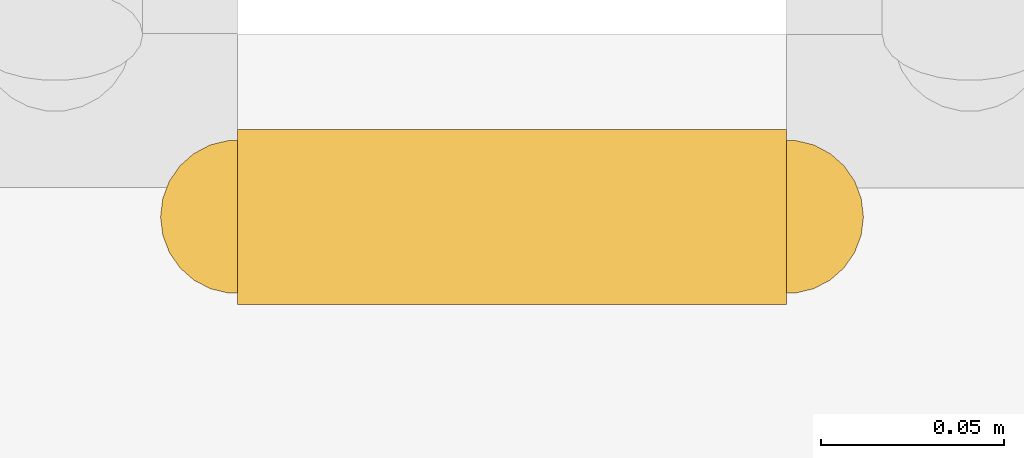
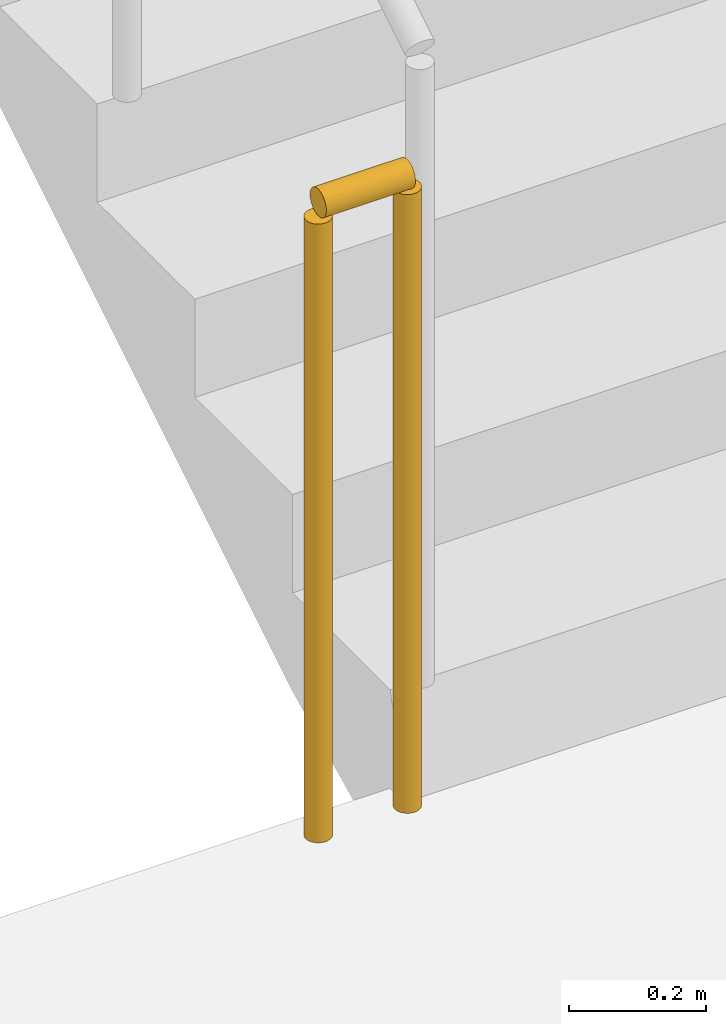
# One storey, part 9 of 12: 1 railing.
"""IFC4 building model written with IfcOpenShell, lengths in metres."""

from ifc_helpers import new_model, si_unit, direction, frame, origin, origin_2d, place, context, subcontext, project, spatial, circle, extrude, material, type_object, element, save


model = new_model("IFC4")

# Units and contexts
model_context = context("Model", 3, precision=1e-05, world=origin(), true_north=direction((0.0, 1.0)))
body_context = subcontext(model_context, "Body", "Model", "MODEL_VIEW")
ifc_project = project(units=[si_unit("LENGTHUNIT", "METRE"), si_unit("AREAUNIT", "SQUARE_METRE"), si_unit("VOLUMEUNIT", "CUBIC_METRE"), si_unit("PLANEANGLEUNIT", "RADIAN"), si_unit("MASSUNIT", "GRAM", prefix="KILO")], contexts=[model_context])

# Site, building, storey
site_placement = place(None, origin())
site = spatial("IfcSite", under=ifc_project, at=site_placement, CompositionType="ELEMENT")
building_placement = place(site_placement, origin())
building = spatial("IfcBuilding", under=site, at=building_placement, Name="Nhamokura Convention Tower", CompositionType="ELEMENT")
storey_placement = place(building_placement, frame((0.0, 0.0, 38.85009765625)))
storey = spatial("IfcBuildingStorey", under=building, at=storey_placement, Name="L07", CompositionType="ELEMENT", Elevation=38.85009765625)

# Railing
ifc_material = material(Name="Painted tubular steel", Category="steel")
railing_type = type_object("IfcRailingType", Name="StairWellGuardrail_1150", PredefinedType="GUARDRAIL", material=ifc_material)
railing_placement = place(storey_placement, frame((32.050048828125, 35.10009765625, 0.0)))
element("IfcRailing", 1, at=railing_placement, inside=storey, type_object=railing_type, Name="L07 ST-03 stair guard 4", PredefinedType="GUARDRAIL", context=body_context, shape_type="SweptSolid", body=[
    extrude(circle(Radius=0.02392578125, at=origin_2d()), frame((0.0, 0.0, 1.1259765625), z_axis=(-1.0, 0.0, 0.0), x_axis=(0.0, -1.0, 0.0)), (0.0, 0.0, 1.0), 0.150146484375),
    extrude(circle(Radius=0.02099609375, at=origin_2d()), origin(), (0.0, 0.0, 1.0), 1.101806640625),
    extrude(circle(Radius=0.02099609375, at=origin_2d()), frame((-0.150146484375, 0.0, 0.0)), (0.0, 0.0, 1.0), 1.101806640625),
])

save(model, "model.ifc")
